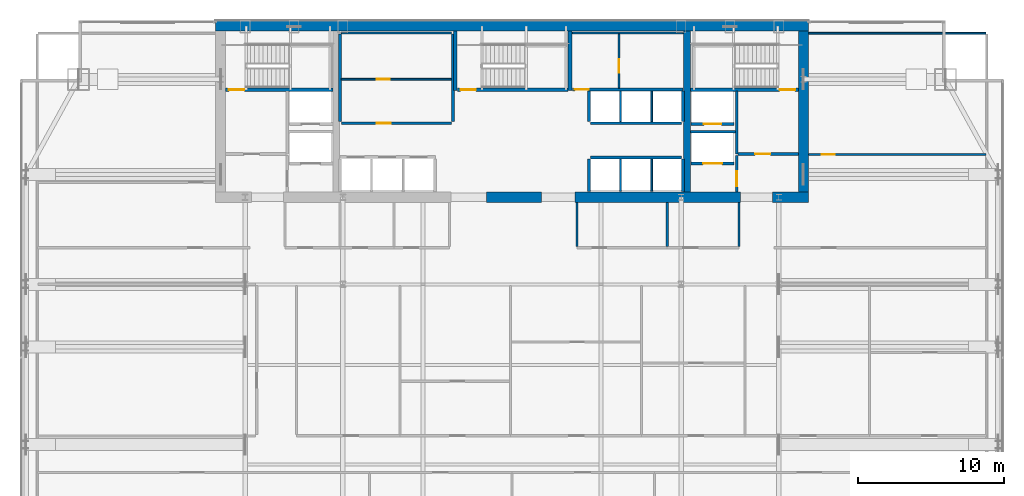
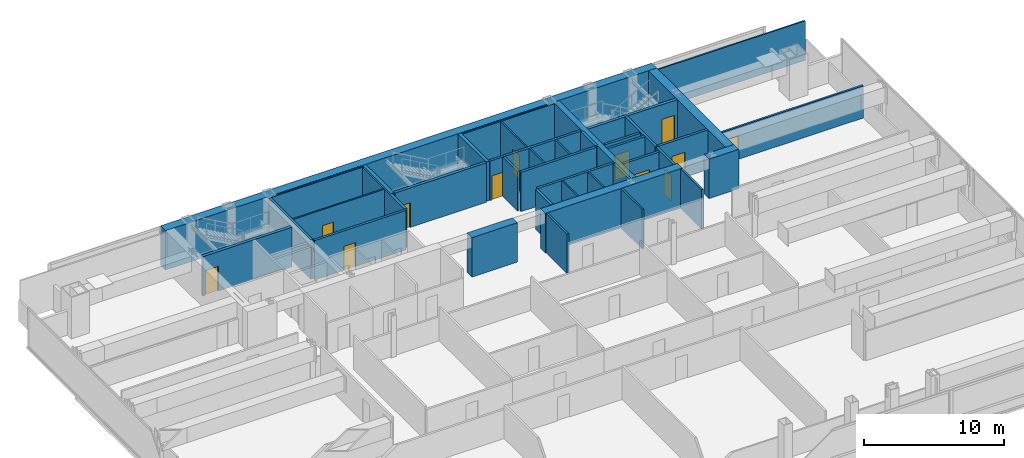
# One storey, part 27 of 30: 40 walls, 12 doors, 12 openings.
"""IFC4 building model written with IfcOpenShell, lengths in metres."""

from ifc_helpers import new_model, si_unit, direction, frame, frame_2d, origin, place, context, subcontext, project, spatial, rectangle, extrude, material, layer, layer_set, type_object, element, fill, save


model = new_model("IFC4")

# Units and contexts
model_context = context("Model", 3, precision=1e-05, world=origin(), true_north=direction((0.0, 1.0)))
body_context = subcontext(model_context, "Body", "Model", "MODEL_VIEW")
ifc_project = project(units=[si_unit("LENGTHUNIT", "METRE"), si_unit("AREAUNIT", "SQUARE_METRE"), si_unit("VOLUMEUNIT", "CUBIC_METRE"), si_unit("PLANEANGLEUNIT", "RADIAN"), si_unit("MASSUNIT", "GRAM", prefix="KILO")], contexts=[model_context])

# Site, building, storey
site_placement = place(None, origin())
site = spatial("IfcSite", under=ifc_project, at=site_placement, CompositionType="ELEMENT")
building_placement = place(site_placement, origin())
building = spatial("IfcBuilding", under=site, at=building_placement, Name="Khoronbel Lancet Exchange", CompositionType="ELEMENT")
storey_placement = place(building_placement, frame((0.0, 0.0, 132.60009765625)))
storey = spatial("IfcBuildingStorey", under=building, at=storey_placement, Name="L32", CompositionType="ELEMENT", Elevation=132.60009765625)

# Walls
ifc_material_1 = material(Name="Concrete C80/95", Category="concrete")
ifc_layer_1 = layer(ifc_material_1, 0.699951171875, Name="Concrete C80/95")
ifc_layer_set_1 = layer_set([ifc_layer_1], Name="Concrete C80/95")
wall_type_1 = type_object("IfcWallType", Name="WL-CW2", PredefinedType="SHEAR", material=ifc_layer_set_1)
wall_1_placement = place(storey_placement, frame((16.199951171875, 53.35009765625, 0.0), z_axis=(0.0, 0.0, 1.0), x_axis=(1.0, 0.0, 0.0)))
element("IfcWall", 1, at=wall_1_placement, inside=storey, type_object=wall_type_1, Name="Level L32 rear core north shear wall", PredefinedType="SHEAR", context=body_context, shape_type="SweptSolid", body=[
    extrude(rectangle(XDim=40.5, YDim=0.699951171875, at=frame_2d((20.25, 0.0))), origin(), (0.0, 0.0, 1.0), 3.43994140625),
])
wall_2_placement = place(storey_placement, frame((56.35009765625, 53.0, 0.0), z_axis=(0.0, 0.0, 1.0), x_axis=(0.0, -1.0, 0.0)))
element("IfcWall", 2, at=wall_2_placement, inside=storey, type_object=wall_type_1, Name="Level L32 rear core east shear wall", PredefinedType="SHEAR", context=body_context, shape_type="SweptSolid", body=[
    extrude(rectangle(XDim=11.0, YDim=0.699951171875, at=frame_2d((5.5, 0.0))), origin(), (0.0, 0.0, 1.0), 3.43994140625),
])
wall_3_placement = place(storey_placement, frame((38.449951171875, 41.64990234375, 0.0), z_axis=(0.0, 0.0, 1.0), x_axis=(-1.0, 0.0, 0.0)))
element("IfcWall", 3, at=wall_3_placement, inside=storey, type_object=wall_type_1, Name="Level L32 rear core south shear wall pier P3", PredefinedType="SHEAR", context=body_context, shape_type="SweptSolid", body=[
    extrude(rectangle(XDim=3.75, YDim=0.699951171875, at=frame_2d((1.875, 0.0))), origin(), (0.0, 0.0, 1.0), 3.43994140625),
])
wall_4_placement = place(storey_placement, frame((52.050048828125, 41.64990234375, 0.0), z_axis=(0.0, 0.0, 1.0), x_axis=(-1.0, 0.0, 0.0)))
element("IfcWall", 4, at=wall_4_placement, inside=storey, type_object=wall_type_1, Name="Level L32 rear core south shear wall pier P4", PredefinedType="SHEAR", context=body_context, shape_type="SweptSolid", body=[
    extrude(rectangle(XDim=11.300048828125, YDim=0.699951171875, at=frame_2d((5.64990234375, 0.0))), origin(), (0.0, 0.0, 1.0), 3.43994140625),
])
wall_5_placement = place(storey_placement, frame((56.699951171875, 41.64990234375, 0.0), z_axis=(0.0, 0.0, 1.0), x_axis=(-1.0, 0.0, 0.0)))
element("IfcWall", 5, at=wall_5_placement, inside=storey, type_object=wall_type_1, Name="Level L32 rear core south shear wall pier P5", PredefinedType="SHEAR", context=body_context, shape_type="SweptSolid", body=[
    extrude(rectangle(XDim=2.449951171875, YDim=0.699951171875, at=frame_2d((1.22509765625, 0.0))), origin(), (0.0, 0.0, 1.0), 3.43994140625),
])
ifc_material_2 = material(Name="Acoustic Metal-Stud & Mineral-Wool Gypsum Partition 120 mm", Category="gypsum")
ifc_layer_2 = layer(ifc_material_2, 0.1201171875, Name="Acoustic Metal-Stud & Mineral-Wool Gypsum Partition 120 mm")
ifc_layer_set_2 = layer_set([ifc_layer_2], Name="Acoustic Metal-Stud & Mineral-Wool Gypsum Partition 120 mm")
wall_type_2 = type_object("IfcWallType", Name="WL-PRT120", PredefinedType="PARTITIONING", material=ifc_layer_set_2)
for number, where, z_axis, x_axis, name in (
    (6, (40.8798828125, 38.280029296875, 0.0), (0.0, 0.0, 1.0), (0.0, 1.0, 0.0), "Level L32 interior partition PW-NP-0"),
    (7, (47.050048828125, 38.280029296875, 0.0), (0.0, 0.0, 1.0), (0.0, 1.0, 0.0), "Level L32 interior partition PW-NP-M"),
    (8, (51.949951171875, 38.280029296875, 0.0), (0.0, 0.0, 1.0), (0.0, 1.0, 0.0), "Level L32 interior partition PW-NP-1"),
):
    element("IfcWall", number, at=place(storey_placement, frame(where, z_axis=z_axis, x_axis=x_axis)), inside=storey, type_object=wall_type_2, Name=name, PredefinedType="PARTITIONING", context=body_context, shape_type="SweptSolid", body=[
        extrude(rectangle(XDim=3.02001953125, YDim=0.14990234375, at=frame_2d((1.510009765625, 0.0))), origin(), (0.0, 0.0, 1.0), 3.43994140625),
    ])

# Wall, opening, door
wall_6_placement = place(storey_placement, frame((56.699951171875, 44.56005859375, 0.0), z_axis=(0.0, 0.0, 1.0), x_axis=(1.0, 0.0, 0.0)))
wall_6 = element("IfcWall", 9, at=wall_6_placement, inside=storey, type_object=wall_type_2, Name="Level L32 interior partition PW-NE-H", PredefinedType="PARTITIONING", context=body_context, shape_type="SweptSolid", body=[
    extrude(rectangle(XDim=12.10498046875, YDim=0.14990234375, at=frame_2d((6.052490234375, 0.0))), origin(), (0.0, 0.0, 1.0), 2.829833984375),
])
opening_1_placement = place(wall_6_placement, frame((0.89990234375, 0.0, 0.0)))
opening_1 = element("IfcOpeningElement", 10, at=opening_1_placement, cuts=wall_6, Name="Opening D5", PredefinedType="OPENING", context=body_context, shape_type="SweptSolid", body=[
    extrude(rectangle(XDim=0.89990234375, YDim=2.050048828125, at=frame_2d((0.449951171875, 1.02490234375))), frame((0.0, 0.0849609375, 0.0), z_axis=(0.0, -1.0, 0.0), x_axis=(1.0, 0.0, 0.0)), (0.0, 0.0, 1.0), 0.169921875),
])
ifc_material_3 = material(Name="Acoustic Timber Pantry & Support Door", Category="wood")
door_type_1 = type_object("IfcDoorType", Name="DR-D5", OperationType="NOTDEFINED", PredefinedType="DOOR", material=ifc_material_3)
door_1_placement = place(opening_1_placement, origin())
door_1 = element("IfcDoor", 11, at=door_1_placement, inside=storey, type_object=door_type_1, Name="NE north room door L32-1", OperationType="SINGLE_SWING_LEFT", OverallHeight=2.050048828125, OverallWidth=0.89990234375, PredefinedType="DOOR", context=body_context, shape_type="SweptSolid", body=[
    extrude(rectangle(XDim=0.89990234375, YDim=2.050048828125, at=frame_2d((0.449951171875, 1.02490234375))), frame((0.0, 0.02490234375, 0.0), z_axis=(0.0, -1.0, 0.0), x_axis=(1.0, 0.0, 0.0)), (0.0, 0.0, 1.0), 0.050048828125),
])
fill(opening_1, door_1)

# Walls
wall_7_placement = place(storey_placement, frame((56.699951171875, 52.840087890625, 0.0), z_axis=(0.0, 0.0, 1.0), x_axis=(1.0, 0.0, 0.0)))
element("IfcWall", 12, at=wall_7_placement, inside=storey, type_object=wall_type_2, Name="Level L32 interior partition PW-LIN-NE", PredefinedType="PARTITIONING", context=body_context, shape_type="SweptSolid", body=[
    extrude(rectangle(XDim=12.10498046875, YDim=0.1201171875, at=frame_2d((6.052490234375, 0.0))), origin(), (0.0, 0.0, 1.0), 3.43994140625),
])
ifc_material_4 = material(Name="Fire-Rated Metal-Stud & Mineral-Wool Gypsum Partition 120 mm", Category="gypsum")
ifc_layer_3 = layer(ifc_material_4, 0.1201171875, Name="Fire-Rated Metal-Stud & Mineral-Wool Gypsum Partition 120 mm")
ifc_layer_set_3 = layer_set([ifc_layer_3], Name="Fire-Rated Metal-Stud & Mineral-Wool Gypsum Partition 120 mm")
wall_type_3 = type_object("IfcWallType", Name="WL-PRT120F", PredefinedType="PARTITIONING", material=ifc_layer_set_3)
wall_8_placement = place(storey_placement, frame((24.804931640625, 52.860107421875, 0.0), z_axis=(0.0, 0.0, 1.0), x_axis=(1.0, 0.0, 0.0)))
element("IfcWall", 13, at=wall_8_placement, inside=storey, type_object=wall_type_3, Name="Level L32 interior partition CW-PL-RN", PredefinedType="PARTITIONING", context=body_context, shape_type="SweptSolid", body=[
    extrude(rectangle(XDim=7.510009765625, YDim=0.1201171875, at=frame_2d((3.7548828125, 0.0))), origin(), (0.0, 0.0, 1.0), 3.43994140625),
])

# Wall, opening, door
wall_9_placement = place(storey_placement, frame((24.804931640625, 49.708740234375, 0.0), z_axis=(0.0, 0.0, 1.0), x_axis=(1.0, 0.0, 0.0)))
wall_9 = element("IfcWall", 14, at=wall_9_placement, inside=storey, type_object=wall_type_3, Name="Level L32 interior partition CW-PL-RH", PredefinedType="PARTITIONING", context=body_context, shape_type="SweptSolid", body=[
    extrude(rectangle(XDim=7.510009765625, YDim=0.1201171875, at=frame_2d((3.7548828125, 0.0))), origin(), (0.0, 0.0, 1.0), 3.43994140625),
])
opening_2_placement = place(wall_9_placement, frame((2.39990234375, 0.0, 0.0)))
opening_2 = element("IfcOpeningElement", 15, at=opening_2_placement, cuts=wall_9, Name="Opening FD4", PredefinedType="OPENING", context=body_context, shape_type="SweptSolid", body=[
    extrude(rectangle(XDim=0.89990234375, YDim=2.050048828125, at=frame_2d((0.449951171875, 1.02490234375))), frame((0.0, 0.070068359375, 0.0), z_axis=(0.0, -1.0, 0.0), x_axis=(1.0, 0.0, 0.0)), (0.0, 0.0, 1.0), 0.14013671875),
])
ifc_material_5 = material(Name="Fire-Rated Steel Core Support Door Assembly", Category="steel")
door_type_2 = type_object("IfcDoorType", Name="DR-FD4", OperationType="NOTDEFINED", PredefinedType="DOOR", material=ifc_material_5)
door_2_placement = place(opening_2_placement, origin())
door_2 = element("IfcDoor", 16, at=door_2_placement, inside=storey, type_object=door_type_2, Name="Core PL inner store door L32-1", OperationType="SINGLE_SWING_LEFT", OverallHeight=2.050048828125, OverallWidth=0.89990234375, PredefinedType="DOOR", context=body_context, shape_type="SweptSolid", body=[
    extrude(rectangle(XDim=0.89990234375, YDim=2.050048828125, at=frame_2d((0.449951171875, 1.02490234375))), frame((0.0, 0.02490234375, 0.0), z_axis=(0.0, -1.0, 0.0), x_axis=(1.0, 0.0, 0.0)), (0.0, 0.0, 1.0), 0.050048828125),
])
fill(opening_2, door_2)

# Walls
for number, where, z_axis, x_axis, name in (
    (17, (43.860107421875, 46.804931640625, 0.0), (0.0, 0.0, 1.0), (0.0, 1.0, 0.0), "Level L32 interior partition CW-PH-D1"),
    (18, (46.0, 46.804931640625, 0.0), (0.0, 0.0, 1.0), (0.0, 1.0, 0.0), "Level L32 interior partition CW-PH-D2"),
):
    element("IfcWall", number, at=place(storey_placement, frame(where, z_axis=z_axis, x_axis=x_axis)), inside=storey, type_object=wall_type_3, Name=name, PredefinedType="PARTITIONING", context=body_context, shape_type="SweptSolid", body=[
        extrude(rectangle(XDim=2.090087890625, YDim=0.1201171875, at=frame_2d((1.044921875, 0.0))), origin(), (0.0, 0.0, 1.0), 3.43994140625),
    ])
for number, where, z_axis, x_axis, name in (
    (19, (43.860107421875, 42.050048828125, 0.0), (0.0, 0.0, 1.0), (0.0, 1.0, 0.0), "Level L32 interior partition CW-PX-D1"),
    (20, (46.0, 42.050048828125, 0.0), (0.0, 0.0, 1.0), (0.0, 1.0, 0.0), "Level L32 interior partition CW-PX-D2"),
):
    element("IfcWall", number, at=place(storey_placement, frame(where, z_axis=z_axis, x_axis=x_axis)), inside=storey, type_object=wall_type_3, Name=name, PredefinedType="PARTITIONING", context=body_context, shape_type="SweptSolid", body=[
        extrude(rectangle(XDim=2.195068359375, YDim=0.1201171875, at=frame_2d((1.09765625, 0.0))), origin(), (0.0, 0.0, 1.0), 3.43994140625),
    ])
wall_10_placement = place(storey_placement, frame((40.580078125, 52.860107421875, 0.0), z_axis=(0.0, 0.0, 1.0), x_axis=(1.0, 0.0, 0.0)))
element("IfcWall", 21, at=wall_10_placement, inside=storey, type_object=wall_type_3, Name="Level L32 interior partition CW-SUP-NE-N", PredefinedType="PARTITIONING", context=body_context, shape_type="SweptSolid", body=[
    extrude(rectangle(XDim=7.559814453125, YDim=0.1201171875, at=frame_2d((3.77978515625, 0.0))), origin(), (0.0, 0.0, 1.0), 3.43994140625),
])

# Wall, opening, door
wall_11_placement = place(storey_placement, frame((43.755126953125, 49.10498046875, 0.0), z_axis=(0.0, 0.0, 1.0), x_axis=(0.0, 1.0, 0.0)))
wall_11 = element("IfcWall", 22, at=wall_11_placement, inside=storey, type_object=wall_type_3, Name="Level L32 interior partition CW-SUP-NE-M", PredefinedType="PARTITIONING", context=body_context, shape_type="SweptSolid", body=[
    extrude(rectangle(XDim=3.68994140625, YDim=0.1201171875, at=frame_2d((1.844970703125, 0.0))), origin(), (0.0, 0.0, 1.0), 3.43994140625),
])
opening_3_placement = place(wall_11_placement, frame((1.050048828125, 0.0, 0.0)))
opening_3 = element("IfcOpeningElement", 23, at=opening_3_placement, cuts=wall_11, Name="Opening FD4", PredefinedType="OPENING", context=body_context, shape_type="SweptSolid", body=[
    extrude(rectangle(XDim=0.89990234375, YDim=2.050048828125, at=frame_2d((0.449951171875, 1.02490234375))), frame((0.0, 0.070068359375, 0.0), z_axis=(0.0, -1.0, 0.0), x_axis=(1.0, 0.0, 0.0)), (0.0, 0.0, 1.0), 0.14013671875),
])
door_3_placement = place(opening_3_placement, origin())
door_3 = element("IfcDoor", 24, at=door_3_placement, inside=storey, type_object=door_type_2, Name="Core NE inner support door L32-1", OperationType="SINGLE_SWING_RIGHT", OverallHeight=2.050048828125, OverallWidth=0.89990234375, PredefinedType="DOOR", context=body_context, shape_type="SweptSolid", body=[
    extrude(rectangle(XDim=0.89990234375, YDim=2.050048828125, at=frame_2d((0.449951171875, 1.02490234375))), frame((0.0, 0.02490234375, 0.0), z_axis=(0.0, -1.0, 0.0), x_axis=(1.0, 0.0, 0.0)), (0.0, 0.0, 1.0), 0.050048828125),
])
fill(opening_3, door_3)

ifc_material_6 = material(Name="Autoclaved Aerated Concrete Blockwork 200 mm", Category="masonry")
ifc_layer_4 = layer(ifc_material_6, 0.199951171875, Name="Autoclaved Aerated Concrete Blockwork 200 mm")
ifc_layer_set_4 = layer_set([ifc_layer_4], Name="Autoclaved Aerated Concrete Blockwork 200 mm")
wall_type_4 = type_object("IfcWallType", Name="WL-PRT200", PredefinedType="PARTITIONING", material=ifc_layer_set_4)
wall_12_placement = place(storey_placement, frame((51.610107421875, 43.949951171875, 0.0), z_axis=(0.0, 0.0, 1.0), x_axis=(-1.0, 0.0, 0.0)))
wall_12 = element("IfcWall", 25, at=wall_12_placement, inside=storey, type_object=wall_type_4, Name="Level L32 elevator hoistway landing front wall SVLE", PredefinedType="PARTITIONING", context=body_context, shape_type="SweptSolid", body=[
    extrude(rectangle(XDim=2.920166015625, YDim=0.199951171875, at=frame_2d((1.4599609375, 0.0))), origin(), (0.0, 0.0, 1.0), 3.43994140625),
])
opening_4_placement = place(wall_12_placement, frame((0.81005859375, 0.0, 0.0)))
opening_4 = element("IfcOpeningElement", 26, at=opening_4_placement, cuts=wall_12, Name="Opening LD-SVL2", PredefinedType="OPENING", context=body_context, shape_type="SweptSolid", body=[
    extrude(rectangle(XDim=1.300048828125, YDim=2.179931640625, at=frame_2d((0.64990234375, 1.08984375))), frame((0.0, 0.10986328125, 0.0), z_axis=(0.0, -1.0, 0.0), x_axis=(1.0, 0.0, 0.0)), (0.0, 0.0, 1.0), 0.219970703125),
])
ifc_material_7 = material(Name="Heavy-Duty Bi-Parting Goods Lift Landing Door", Category="steel")
door_type_3 = type_object("IfcDoorType", Name="DR-LD-SVL", OperationType="NOTDEFINED", PredefinedType="DOOR", material=ifc_material_7)
door_4_placement = place(opening_4_placement, origin())
door_4 = element("IfcDoor", 27, at=door_4_placement, inside=storey, type_object=door_type_3, Name="Elevator landing sliding door LD-SVL2 L32", OperationType="SLIDING_TO_LEFT", OverallHeight=2.179931640625, OverallWidth=1.300048828125, PredefinedType="DOOR", context=body_context, shape_type="SweptSolid", body=[
    extrude(rectangle(XDim=1.300048828125, YDim=2.179931640625, at=frame_2d((0.64990234375, 1.08984375))), frame((0.0, 0.02490234375, 0.0), z_axis=(0.0, -1.0, 0.0), x_axis=(1.0, 0.0, 0.0)), (0.0, 0.0, 1.0), 0.050048828125),
])
fill(opening_4, door_4)

wall_13_placement = place(storey_placement, frame((51.610107421875, 46.64990234375, 0.0), z_axis=(0.0, 0.0, 1.0), x_axis=(-1.0, 0.0, 0.0)))
wall_13 = element("IfcWall", 28, at=wall_13_placement, inside=storey, type_object=wall_type_4, Name="Level L32 elevator hoistway landing front wall FFLE", PredefinedType="PARTITIONING", context=body_context, shape_type="SweptSolid", body=[
    extrude(rectangle(XDim=2.920166015625, YDim=0.199951171875, at=frame_2d((1.4599609375, 0.0))), origin(), (0.0, 0.0, 1.0), 3.43994140625),
])
opening_5_placement = place(wall_13_placement, frame((0.860107421875, 0.0, 0.0)))
opening_5 = element("IfcOpeningElement", 29, at=opening_5_placement, cuts=wall_13, Name="Opening LD-FFL2", PredefinedType="OPENING", context=body_context, shape_type="SweptSolid", body=[
    extrude(rectangle(XDim=1.199951171875, YDim=2.179931640625, at=frame_2d((0.60009765625, 1.08984375))), frame((0.0, 0.10986328125, 0.0), z_axis=(0.0, -1.0, 0.0), x_axis=(1.0, 0.0, 0.0)), (0.0, 0.0, 1.0), 0.219970703125),
])
ifc_material_8 = material(Name="Fire-Rated Stainless Bi-Parting Firefighting Lift Door", Category="steel")
door_type_4 = type_object("IfcDoorType", Name="DR-LD-FFL", OperationType="NOTDEFINED", PredefinedType="DOOR", material=ifc_material_8)
door_5_placement = place(opening_5_placement, origin())
door_5 = element("IfcDoor", 30, at=door_5_placement, inside=storey, type_object=door_type_4, Name="Elevator landing sliding door LD-FFL2 L32", OperationType="SLIDING_TO_LEFT", OverallHeight=2.179931640625, OverallWidth=1.199951171875, PredefinedType="DOOR", context=body_context, shape_type="SweptSolid", body=[
    extrude(rectangle(XDim=1.199951171875, YDim=2.179931640625, at=frame_2d((0.60009765625, 1.08984375))), frame((0.0, 0.02490234375, 0.0), z_axis=(0.0, -1.0, 0.0), x_axis=(1.0, 0.0, 0.0)), (0.0, 0.0, 1.0), 0.050048828125),
])
fill(opening_5, door_5)

# Wall
wall_14_placement = place(storey_placement, frame((51.800048828125, 44.60009765625, 0.0), z_axis=(0.0, 0.0, 1.0), x_axis=(0.0, 1.0, 0.0)))
element("IfcWall", 31, at=wall_14_placement, inside=storey, type_object=wall_type_4, Name="Level L32 interior partition CW-FFLE-W", PredefinedType="PARTITIONING", context=body_context, shape_type="SweptSolid", body=[
    extrude(rectangle(XDim=4.2998046875, YDim=0.199951171875, at=frame_2d((2.14990234375, 0.0))), origin(), (0.0, 0.0, 1.0), 3.43994140625),
])

# Wall, opening, door
wall_15_placement = place(storey_placement, frame((51.89990234375, 44.60009765625, 0.0), z_axis=(0.0, 0.0, 1.0), x_axis=(1.0, 0.0, 0.0)))
wall_15 = element("IfcWall", 32, at=wall_15_placement, inside=storey, type_object=wall_type_4, Name="Level L32 interior partition CW-FFLE-S", PredefinedType="PARTITIONING", context=body_context, shape_type="SweptSolid", body=[
    extrude(rectangle(XDim=4.10009765625, YDim=0.199951171875, at=frame_2d((2.050048828125, 0.0))), origin(), (0.0, 0.0, 1.0), 3.43994140625),
])
opening_6_placement = place(wall_15_placement, frame((1.14990234375, 0.0, 0.0)))
opening_6 = element("IfcOpeningElement", 33, at=opening_6_placement, cuts=wall_15, Name="Opening FD1", PredefinedType="OPENING", context=body_context, shape_type="SweptSolid", body=[
    extrude(rectangle(XDim=1.050048828125, YDim=2.14990234375, at=frame_2d((0.52490234375, 1.074951171875))), frame((0.0, 0.10986328125, 0.0), z_axis=(0.0, -1.0, 0.0), x_axis=(1.0, 0.0, 0.0)), (0.0, 0.0, 1.0), 0.219970703125),
])
ifc_material_9 = material(Name="Fire-Rated Painted Steel Door Assembly", Category="steel")
door_type_5 = type_object("IfcDoorType", Name="DR-FD1", OperationType="NOTDEFINED", PredefinedType="DOOR", material=ifc_material_9)
door_6_placement = place(opening_6_placement, origin())
door_6 = element("IfcDoor", 34, at=door_6_placement, inside=storey, type_object=door_type_5, Name="East firefighting lobby FD90S door L32-1", OperationType="SINGLE_SWING_LEFT", OverallHeight=2.14990234375, OverallWidth=1.050048828125, PredefinedType="DOOR", context=body_context, shape_type="SweptSolid", body=[
    extrude(rectangle(XDim=1.050048828125, YDim=2.14990234375, at=frame_2d((0.52490234375, 1.074951171875))), frame((0.0, 0.02490234375, 0.0), z_axis=(0.0, -1.0, 0.0), x_axis=(1.0, 0.0, 0.0)), (0.0, 0.0, 1.0), 0.050048828125),
])
fill(opening_6, door_6)

# Wall
wall_16_placement = place(storey_placement, frame((48.6298828125, 46.1201171875, 0.0), z_axis=(0.0, 0.0, 1.0), x_axis=(1.0, 0.0, 0.0)))
element("IfcWall", 35, at=wall_16_placement, inside=storey, type_object=wall_type_4, Name="Level L32 interior partition CW-FFL2-S", PredefinedType="PARTITIONING", context=body_context, shape_type="SweptSolid", body=[
    extrude(rectangle(XDim=3.070068359375, YDim=0.199951171875, at=frame_2d((1.53515625, 0.0))), origin(), (0.0, 0.0, 1.0), 3.43994140625),
])

# Wall, opening, door
wall_17_placement = place(storey_placement, frame((51.800048828125, 42.0, 0.0), z_axis=(0.0, 0.0, 1.0), x_axis=(0.0, 1.0, 0.0)))
wall_17 = element("IfcWall", 36, at=wall_17_placement, inside=storey, type_object=wall_type_4, Name="Level L32 interior partition CW-SVLE-E", PredefinedType="PARTITIONING", context=body_context, shape_type="SweptSolid", body=[
    extrude(rectangle(XDim=2.4951171875, YDim=0.199951171875, at=frame_2d((1.24755859375, 0.0))), origin(), (0.0, 0.0, 1.0), 3.43994140625),
])
opening_7_placement = place(wall_17_placement, frame((0.3798828125, 0.0, 0.0)))
opening_7 = element("IfcOpeningElement", 37, at=opening_7_placement, cuts=wall_17, Name="Opening FD1", PredefinedType="OPENING", context=body_context, shape_type="SweptSolid", body=[
    extrude(rectangle(XDim=1.050048828125, YDim=2.14990234375, at=frame_2d((0.52490234375, 1.074951171875))), frame((0.0, 0.10986328125, 0.0), z_axis=(0.0, -1.0, 0.0), x_axis=(1.0, 0.0, 0.0)), (0.0, 0.0, 1.0), 0.219970703125),
])
door_7_placement = place(opening_7_placement, origin())
door_7 = element("IfcDoor", 38, at=door_7_placement, inside=storey, type_object=door_type_5, Name="East service lift lobby door L32-1", OperationType="SINGLE_SWING_RIGHT", OverallHeight=2.14990234375, OverallWidth=1.050048828125, PredefinedType="DOOR", context=body_context, shape_type="SweptSolid", body=[
    extrude(rectangle(XDim=1.050048828125, YDim=2.14990234375, at=frame_2d((0.52490234375, 1.074951171875))), frame((0.0, 0.02490234375, 0.0), z_axis=(0.0, -1.0, 0.0), x_axis=(1.0, 0.0, 0.0)), (0.0, 0.0, 1.0), 0.050048828125),
])
fill(opening_7, door_7)

# Walls
for number, where, z_axis, x_axis, name in (
    (39, (24.699951171875, 46.804931640625, 0.0), (0.0, 0.0, 1.0), (0.0, 1.0, 0.0), "Level L32 interior partition CW-PL-RW"),
    (40, (32.419921875, 46.804931640625, 0.0), (0.0, 0.0, 1.0), (0.0, 1.0, 0.0), "Level L32 interior partition CW-PL-RE"),
):
    element("IfcWall", number, at=place(storey_placement, frame(where, z_axis=z_axis, x_axis=x_axis)), inside=storey, type_object=wall_type_4, Name=name, PredefinedType="PARTITIONING", context=body_context, shape_type="SweptSolid", body=[
        extrude(rectangle(XDim=5.989990234375, YDim=0.199951171875, at=frame_2d((2.9951171875, 0.0))), origin(), (0.0, 0.0, 1.0), 3.43994140625),
    ])

# Wall, opening, door
wall_18_placement = place(storey_placement, frame((24.804931640625, 46.699951171875, 0.0), z_axis=(0.0, 0.0, 1.0), x_axis=(1.0, 0.0, 0.0)))
wall_18 = element("IfcWall", 41, at=wall_18_placement, inside=storey, type_object=wall_type_4, Name="Level L32 interior partition CW-PL-RF", PredefinedType="PARTITIONING", context=body_context, shape_type="SweptSolid", body=[
    extrude(rectangle(XDim=7.510009765625, YDim=0.199951171875, at=frame_2d((3.7548828125, 0.0))), origin(), (0.0, 0.0, 1.0), 3.43994140625),
])
opening_8_placement = place(wall_18_placement, frame((2.39990234375, 0.0, 0.0)))
opening_8 = element("IfcOpeningElement", 42, at=opening_8_placement, cuts=wall_18, Name="Opening FD3", PredefinedType="OPENING", context=body_context, shape_type="SweptSolid", body=[
    extrude(rectangle(XDim=0.949951171875, YDim=2.10009765625, at=frame_2d((0.47509765625, 1.050048828125))), frame((0.0, 0.10986328125, 0.0), z_axis=(0.0, -1.0, 0.0), x_axis=(1.0, 0.0, 0.0)), (0.0, 0.0, 1.0), 0.219970703125),
])
ifc_material_10 = material(Name="Fire-Rated Steel Plant & Riser Door Assembly", Category="steel")
door_type_6 = type_object("IfcDoorType", Name="DR-FD3", OperationType="NOTDEFINED", PredefinedType="DOOR", material=ifc_material_10)
door_8_placement = place(opening_8_placement, origin())
door_8 = element("IfcDoor", 43, at=door_8_placement, inside=storey, type_object=door_type_6, Name="Core PL merged gallery room door L32-1", OperationType="SINGLE_SWING_RIGHT", OverallHeight=2.10009765625, OverallWidth=0.949951171875, PredefinedType="DOOR", context=body_context, shape_type="SweptSolid", body=[
    extrude(rectangle(XDim=0.949951171875, YDim=2.10009765625, at=frame_2d((0.47509765625, 1.050048828125))), frame((0.0, 0.02490234375, 0.0), z_axis=(0.0, -1.0, 0.0), x_axis=(1.0, 0.0, 0.0)), (0.0, 0.0, 1.0), 0.050048828125),
])
fill(opening_8, door_8)

# Walls
wall_19_placement = place(storey_placement, frame((41.824951171875, 46.699951171875, 0.0), z_axis=(0.0, 0.0, 1.0), x_axis=(1.0, 0.0, 0.0)))
element("IfcWall", 44, at=wall_19_placement, inside=storey, type_object=wall_type_4, Name="Level L32 interior partition CW-PH-EXP", PredefinedType="PARTITIONING", context=body_context, shape_type="SweptSolid", body=[
    extrude(rectangle(XDim=6.2099609375, YDim=0.199951171875, at=frame_2d((3.10498046875, 0.0))), origin(), (0.0, 0.0, 1.0), 3.43994140625),
])
for number, where, z_axis, x_axis, name in (
    (45, (41.719970703125, 46.804931640625, 0.0), (0.0, 0.0, 1.0), (0.0, 1.0, 0.0), "Level L32 interior partition CW-PH-W"),
    (46, (48.139892578125, 46.804931640625, 0.0), (0.0, 0.0, 1.0), (0.0, 1.0, 0.0), "Level L32 interior partition CW-PH-E"),
):
    element("IfcWall", number, at=place(storey_placement, frame(where, z_axis=z_axis, x_axis=x_axis)), inside=storey, type_object=wall_type_4, Name=name, PredefinedType="PARTITIONING", context=body_context, shape_type="SweptSolid", body=[
        extrude(rectangle(XDim=2.090087890625, YDim=0.199951171875, at=frame_2d((1.044921875, 0.0))), origin(), (0.0, 0.0, 1.0), 3.43994140625),
    ])
wall_20_placement = place(storey_placement, frame((41.824951171875, 44.35009765625, 0.0), z_axis=(0.0, 0.0, 1.0), x_axis=(1.0, 0.0, 0.0)))
element("IfcWall", 47, at=wall_20_placement, inside=storey, type_object=wall_type_4, Name="Level L32 interior partition CW-PX-EXP", PredefinedType="PARTITIONING", context=body_context, shape_type="SweptSolid", body=[
    extrude(rectangle(XDim=6.2099609375, YDim=0.199951171875, at=frame_2d((3.10498046875, 0.0))), origin(), (0.0, 0.0, 1.0), 3.43994140625),
])
for number, where, z_axis, x_axis, name in (
    (48, (41.719970703125, 42.050048828125, 0.0), (0.0, 0.0, 1.0), (0.0, 1.0, 0.0), "Level L32 interior partition CW-PX-W"),
    (49, (48.139892578125, 42.050048828125, 0.0), (0.0, 0.0, 1.0), (0.0, 1.0, 0.0), "Level L32 interior partition CW-PX-E"),
):
    element("IfcWall", number, at=place(storey_placement, frame(where, z_axis=z_axis, x_axis=x_axis)), inside=storey, type_object=wall_type_4, Name=name, PredefinedType="PARTITIONING", context=body_context, shape_type="SweptSolid", body=[
        extrude(rectangle(XDim=2.195068359375, YDim=0.199951171875, at=frame_2d((1.09765625, 0.0))), origin(), (0.0, 0.0, 1.0), 3.43994140625),
    ])

# Wall, opening, door
wall_21_placement = place(storey_placement, frame((40.580078125, 49.0, 0.0), z_axis=(0.0, 0.0, 1.0), x_axis=(1.0, 0.0, 0.0)))
wall_21 = element("IfcWall", 50, at=wall_21_placement, inside=storey, type_object=wall_type_4, Name="Level L32 interior partition CW-SUP-NE-S", PredefinedType="PARTITIONING", context=body_context, shape_type="SweptSolid", body=[
    extrude(rectangle(XDim=7.559814453125, YDim=0.199951171875, at=frame_2d((3.77978515625, 0.0))), origin(), (0.0, 0.0, 1.0), 3.43994140625),
])
opening_9_placement = place(wall_21_placement, frame((0.159912109375, 0.0, 0.0)))
opening_9 = element("IfcOpeningElement", 51, at=opening_9_placement, cuts=wall_21, Name="Opening FD3", PredefinedType="OPENING", context=body_context, shape_type="SweptSolid", body=[
    extrude(rectangle(XDim=0.949951171875, YDim=2.10009765625, at=frame_2d((0.47509765625, 1.050048828125))), frame((0.0, 0.10986328125, 0.0), z_axis=(0.0, -1.0, 0.0), x_axis=(1.0, 0.0, 0.0)), (0.0, 0.0, 1.0), 0.219970703125),
])
door_9_placement = place(opening_9_placement, origin())
door_9 = element("IfcDoor", 52, at=door_9_placement, inside=storey, type_object=door_type_6, Name="Core NE support room door L32-1", OperationType="SINGLE_SWING_LEFT", OverallHeight=2.10009765625, OverallWidth=0.949951171875, PredefinedType="DOOR", context=body_context, shape_type="SweptSolid", body=[
    extrude(rectangle(XDim=0.949951171875, YDim=2.10009765625, at=frame_2d((0.47509765625, 1.050048828125))), frame((0.0, 0.02490234375, 0.0), z_axis=(0.0, -1.0, 0.0), x_axis=(1.0, 0.0, 0.0)), (0.0, 0.0, 1.0), 0.050048828125),
])
fill(opening_9, door_9)

# Walls
ifc_layer_5 = layer(ifc_material_1, 0.449951171875, Name="Concrete C80/95")
ifc_layer_set_5 = layer_set([ifc_layer_5], Name="Concrete C80/95")
wall_type_5 = type_object("IfcWallType", Name="WL-SW1", PredefinedType="SHEAR", material=ifc_layer_set_5)
wall_22_placement = place(storey_placement, frame((48.39990234375, 42.0, 0.0), z_axis=(0.0, 0.0, 1.0), x_axis=(0.0, 1.0, 0.0)))
element("IfcWall", 53, at=wall_22_placement, inside=storey, type_object=wall_type_5, Name="Level L32 rear core internal spine shear wall IE", PredefinedType="SHEAR", context=body_context, shape_type="SweptSolid", body=[
    extrude(rectangle(XDim=11.0, YDim=0.449951171875, at=frame_2d((5.5, 0.0))), origin(), (0.0, 0.0, 1.0), 3.43994140625),
])
ifc_material_11 = material(Name="Concrete C60/75", Category="concrete")
ifc_layer_6 = layer(ifc_material_11, 0.260009765625, Name="Concrete C60/75")
ifc_layer_set_6 = layer_set([ifc_layer_6], Name="Concrete C60/75")
wall_type_6 = type_object("IfcWallType", Name="WL-SW3", PredefinedType="SHEAR", material=ifc_layer_set_6)
for number, where, z_axis, x_axis, name in (
    (54, (32.580078125, 48.949951171875, 0.0), (0.0, 0.0, 1.0), (0.0, 1.0, 0.0), "Level L32 central stairwell structural shear wall ST3W"),
    (55, (40.419921875, 48.949951171875, 0.0), (0.0, 0.0, 1.0), (0.0, 1.0, 0.0), "Level L32 central stairwell structural shear wall ST3E"),
):
    element("IfcWall", number, at=place(storey_placement, frame(where, z_axis=z_axis, x_axis=x_axis)), inside=storey, type_object=wall_type_6, Name=name, PredefinedType="SHEAR", context=body_context, shape_type="SweptSolid", body=[
        extrude(rectangle(XDim=4.050048828125, YDim=0.260009765625, at=frame_2d((2.02490234375, 0.0))), origin(), (0.0, 0.0, 1.0), 3.43994140625),
    ])

# Wall, opening, door
wall_23_placement = place(storey_placement, frame((16.89990234375, 48.97998046875, 0.0), z_axis=(0.0, 0.0, 1.0), x_axis=(1.0, 0.0, 0.0)))
wall_23 = element("IfcWall", 56, at=wall_23_placement, inside=storey, type_object=wall_type_6, Name="Level L32 west stairwell structural south wall", PredefinedType="SHEAR", context=body_context, shape_type="SweptSolid", body=[
    extrude(rectangle(XDim=7.320068359375, YDim=0.239990234375, at=frame_2d((3.66015625, 0.0))), origin(), (0.0, 0.0, 1.0), 3.43994140625),
])
opening_10_placement = place(wall_23_placement, frame((0.219970703125, 0.0, 0.0)))
opening_10 = element("IfcOpeningElement", 57, at=opening_10_placement, cuts=wall_23, Name="Opening SD1", PredefinedType="OPENING", context=body_context, shape_type="SweptSolid", body=[
    extrude(rectangle(XDim=1.050048828125, YDim=2.14990234375, at=frame_2d((0.52490234375, 1.074951171875))), frame((0.0, 0.1298828125, 0.0), z_axis=(0.0, -1.0, 0.0), x_axis=(1.0, 0.0, 0.0)), (0.0, 0.0, 1.0), 0.260009765625),
])
ifc_material_12 = material(Name="Fire-Rated Steel Stairwell Door Assembly", Category="steel")
door_type_7 = type_object("IfcDoorType", Name="DR-SD1", OperationType="NOTDEFINED", PredefinedType="DOOR", material=ifc_material_12)
door_10_placement = place(opening_10_placement, origin())
door_10 = element("IfcDoor", 58, at=door_10_placement, inside=storey, type_object=door_type_7, Name="Protected exit stair ST1 door L32", OperationType="SINGLE_SWING_LEFT", OverallHeight=2.14990234375, OverallWidth=1.050048828125, PredefinedType="DOOR", context=body_context, shape_type="SweptSolid", body=[
    extrude(rectangle(XDim=1.050048828125, YDim=2.14990234375, at=frame_2d((0.52490234375, 1.074951171875))), frame((0.0, 0.02490234375, 0.0), z_axis=(0.0, -1.0, 0.0), x_axis=(1.0, 0.0, 0.0)), (0.0, 0.0, 1.0), 0.050048828125),
])
fill(opening_10, door_10)

wall_24_placement = place(storey_placement, frame((48.6298828125, 48.97998046875, 0.0), z_axis=(0.0, 0.0, 1.0), x_axis=(1.0, 0.0, 0.0)))
wall_24 = element("IfcWall", 59, at=wall_24_placement, inside=storey, type_object=wall_type_6, Name="Level L32 east stairwell structural south wall", PredefinedType="SHEAR", context=body_context, shape_type="SweptSolid", body=[
    extrude(rectangle(XDim=7.3701171875, YDim=0.239990234375, at=frame_2d((3.68505859375, 0.0))), origin(), (0.0, 0.0, 1.0), 3.43994140625),
])
opening_11_placement = place(wall_24_placement, frame((6.10009765625, 0.0, 0.0)))
opening_11 = element("IfcOpeningElement", 60, at=opening_11_placement, cuts=wall_24, Name="Opening SD1", PredefinedType="OPENING", context=body_context, shape_type="SweptSolid", body=[
    extrude(rectangle(XDim=1.050048828125, YDim=2.14990234375, at=frame_2d((0.52490234375, 1.074951171875))), frame((0.0, 0.1298828125, 0.0), z_axis=(0.0, -1.0, 0.0), x_axis=(1.0, 0.0, 0.0)), (0.0, 0.0, 1.0), 0.260009765625),
])
door_11_placement = place(opening_11_placement, origin())
door_11 = element("IfcDoor", 61, at=door_11_placement, inside=storey, type_object=door_type_7, Name="Protected exit stair ST2 door L32", OperationType="SINGLE_SWING_RIGHT", OverallHeight=2.14990234375, OverallWidth=1.050048828125, PredefinedType="DOOR", context=body_context, shape_type="SweptSolid", body=[
    extrude(rectangle(XDim=1.050048828125, YDim=2.14990234375, at=frame_2d((0.52490234375, 1.074951171875))), frame((0.0, 0.02490234375, 0.0), z_axis=(0.0, -1.0, 0.0), x_axis=(1.0, 0.0, 0.0)), (0.0, 0.0, 1.0), 0.050048828125),
])
fill(opening_11, door_11)

wall_25_placement = place(storey_placement, frame((32.719970703125, 48.97998046875, 0.0), z_axis=(0.0, 0.0, 1.0), x_axis=(1.0, 0.0, 0.0)))
wall_25 = element("IfcWall", 62, at=wall_25_placement, inside=storey, type_object=wall_type_6, Name="Level L32 central stairwell structural south wall", PredefinedType="SHEAR", context=body_context, shape_type="SweptSolid", body=[
    extrude(rectangle(XDim=7.56005859375, YDim=0.239990234375, at=frame_2d((3.780029296875, 0.0))), origin(), (0.0, 0.0, 1.0), 3.43994140625),
])
opening_12_placement = place(wall_25_placement, frame((0.219970703125, 0.0, 0.0)))
opening_12 = element("IfcOpeningElement", 63, at=opening_12_placement, cuts=wall_25, Name="Opening SD1", PredefinedType="OPENING", context=body_context, shape_type="SweptSolid", body=[
    extrude(rectangle(XDim=1.050048828125, YDim=2.14990234375, at=frame_2d((0.52490234375, 1.074951171875))), frame((0.0, 0.1298828125, 0.0), z_axis=(0.0, -1.0, 0.0), x_axis=(1.0, 0.0, 0.0)), (0.0, 0.0, 1.0), 0.260009765625),
])
door_12_placement = place(opening_12_placement, origin())
door_12 = element("IfcDoor", 64, at=door_12_placement, inside=storey, type_object=door_type_7, Name="Protected exit stair ST3 door L32", OperationType="SINGLE_SWING_LEFT", OverallHeight=2.14990234375, OverallWidth=1.050048828125, PredefinedType="DOOR", context=body_context, shape_type="SweptSolid", body=[
    extrude(rectangle(XDim=1.050048828125, YDim=2.14990234375, at=frame_2d((0.52490234375, 1.074951171875))), frame((0.0, 0.02490234375, 0.0), z_axis=(0.0, -1.0, 0.0), x_axis=(1.0, 0.0, 0.0)), (0.0, 0.0, 1.0), 0.050048828125),
])
fill(opening_12, door_12)

save(model, "model.ifc")
